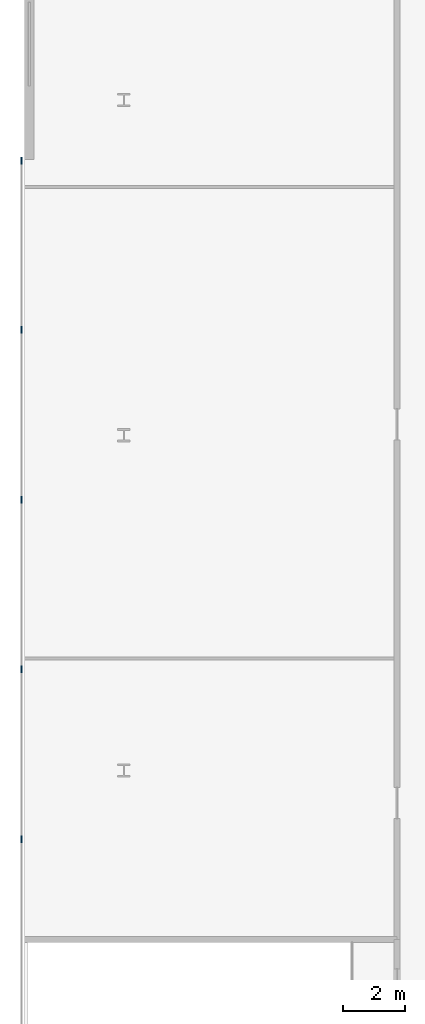
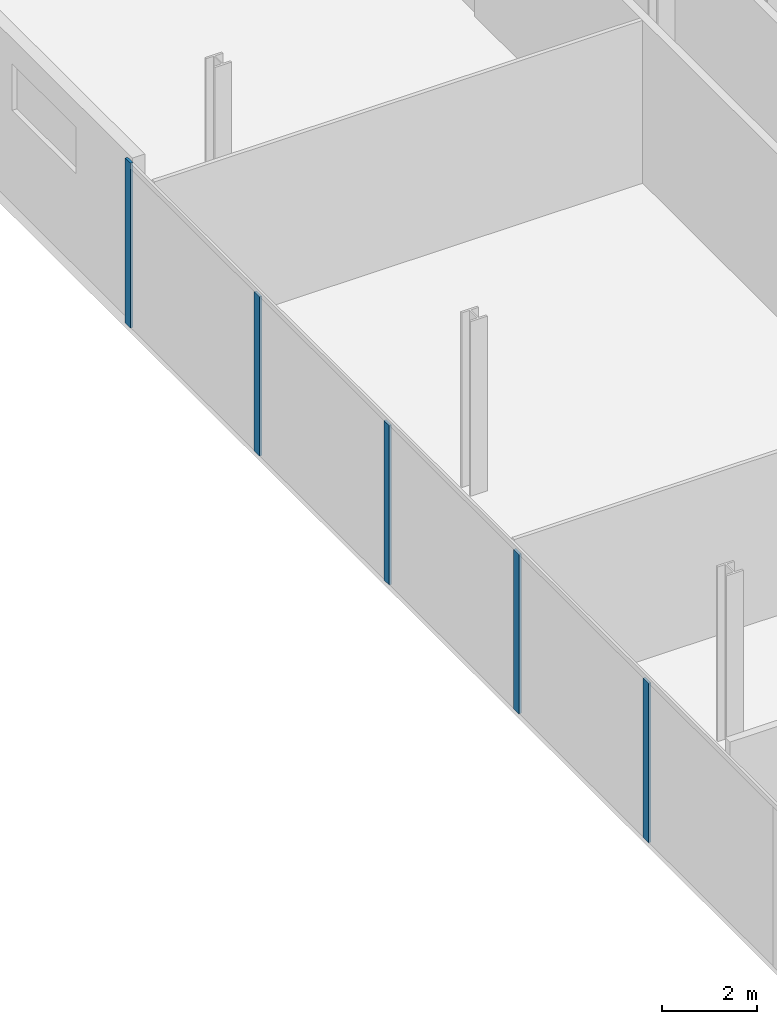
# One storey, part 9 of 43: 5 members, 1 element without a shape of its own.
"""IFC4 building model written with IfcOpenShell, lengths in metres."""

from ifc_helpers import new_model, si_unit, direction, frame, origin, origin_2d, place, context, subcontext, project, spatial, rectangle, extrude, material, layer, layer_set, material_profile, profile_set, type_object, element, aggregate, save


model = new_model("IFC4")

# Units and contexts
model_context = context("Model", 3, precision=1e-05, world=origin(), true_north=direction((0.0, 1.0)))
body_context = subcontext(model_context, "Body", "Model", "MODEL_VIEW")
ifc_project = project(units=[si_unit("LENGTHUNIT", "METRE"), si_unit("AREAUNIT", "SQUARE_METRE"), si_unit("VOLUMEUNIT", "CUBIC_METRE"), si_unit("PLANEANGLEUNIT", "RADIAN"), si_unit("MASSUNIT", "GRAM", prefix="KILO")], contexts=[model_context])

# Site, building, storey
site_placement = place(None, origin())
site = spatial("IfcSite", under=ifc_project, at=site_placement, CompositionType="ELEMENT")
building_placement = place(site_placement, origin())
building = spatial("IfcBuilding", under=site, at=building_placement, Name="Kheshtan School and Residences Tower", CompositionType="ELEMENT")
storey_placement = place(building_placement, frame((0.0, 0.0, 26.0)))
storey = spatial("IfcBuildingStorey", under=building, at=storey_placement, Name="L05", CompositionType="ELEMENT", Elevation=26.0)

# Curtain wall, members
ifc_material_1 = material(Name="Clear low-e glass in thermally broken aluminium frame", Category="aluminium")
ifc_layer = layer(ifc_material_1, 0.22509765625)
ifc_layer_set = layer_set([ifc_layer], Name="Curtain wall CW-P")
curtain_wall_type = type_object("IfcCurtainWallType", Name="Curtain wall CW-P", PredefinedType="NOTDEFINED", material=ifc_layer_set)
curtain_wall_placement = place(storey_placement, origin())
curtain_wall = element("IfcCurtainWall", 1, at=curtain_wall_placement, inside=storey, type_object=curtain_wall_type, Name="Curtain wall CWP16a", PredefinedType="NOTDEFINED")
ifc_material_2 = material(Name="Thermally broken aluminium, dark bronze anodised", Category="aluminium")
ifc_material_profile = material_profile(ifc_material_2, rectangle(XDim=0.06005859375, YDim=0.22509765625, at=origin_2d()), Name="CW-P mullion 60x225")
ifc_profile_set = profile_set([ifc_material_profile], Name="Thermally broken aluminium, dark bronze anodised")
member_type = type_object("IfcMemberType", Name="CW-P mullion 60x225", PredefinedType="MULLION", material=ifc_profile_set)
member_1_placement = place(storey_placement, frame((11.89990234375, 43.377685546875, 0.0), z_axis=(0.0, 0.0, 1.0), x_axis=(-1.0, 0.0, 0.0)))
member_1 = element("IfcMember", 2, at=member_1_placement, type_object=member_type, Name="CWP16a mullion 6", PredefinedType="MULLION", context=body_context, shape_type="SweptSolid", body=[
    extrude(rectangle(XDim=0.06005859375, YDim=0.22509765625, at=origin_2d()), origin(), (0.0, 0.0, 1.0), 4.110107421875),
])
member_2_placement = place(storey_placement, frame((11.89990234375, 48.853271484375, 0.0), z_axis=(0.0, 0.0, 1.0), x_axis=(-1.0, 0.0, 0.0)))
member_2 = element("IfcMember", 3, at=member_2_placement, type_object=member_type, Name="CWP16a mullion 7", PredefinedType="MULLION", context=body_context, shape_type="SweptSolid", body=[
    extrude(rectangle(XDim=0.06005859375, YDim=0.22509765625, at=origin_2d()), origin(), (0.0, 0.0, 1.0), 4.110107421875),
])
member_3_placement = place(storey_placement, frame((11.89990234375, 54.328857421875, 0.0), z_axis=(0.0, 0.0, 1.0), x_axis=(-1.0, 0.0, 0.0)))
member_3 = element("IfcMember", 4, at=member_3_placement, type_object=member_type, Name="CWP16a mullion 8", PredefinedType="MULLION", context=body_context, shape_type="SweptSolid", body=[
    extrude(rectangle(XDim=0.06005859375, YDim=0.22509765625, at=origin_2d()), origin(), (0.0, 0.0, 1.0), 4.110107421875),
])
member_4_placement = place(storey_placement, frame((11.89990234375, 59.804443359375, 0.0), z_axis=(0.0, 0.0, 1.0), x_axis=(-1.0, 0.0, 0.0)))
member_4 = element("IfcMember", 5, at=member_4_placement, type_object=member_type, Name="CWP16a mullion 9", PredefinedType="MULLION", context=body_context, shape_type="SweptSolid", body=[
    extrude(rectangle(XDim=0.06005859375, YDim=0.22509765625, at=origin_2d()), origin(), (0.0, 0.0, 1.0), 4.110107421875),
])
member_5_placement = place(storey_placement, frame((11.89990234375, 65.25, 0.0), z_axis=(0.0, 0.0, 1.0), x_axis=(-1.0, 0.0, 0.0)))
member_5 = element("IfcMember", 6, at=member_5_placement, type_object=member_type, Name="CWP16a mullion 10", PredefinedType="MULLION", context=body_context, shape_type="SweptSolid", body=[
    extrude(rectangle(XDim=0.06005859375, YDim=0.22509765625, at=origin_2d()), origin(), (0.0, 0.0, 1.0), 4.25),
])
aggregate(curtain_wall, [member_1, member_2, member_3, member_4, member_5])

save(model, "model.ifc")
